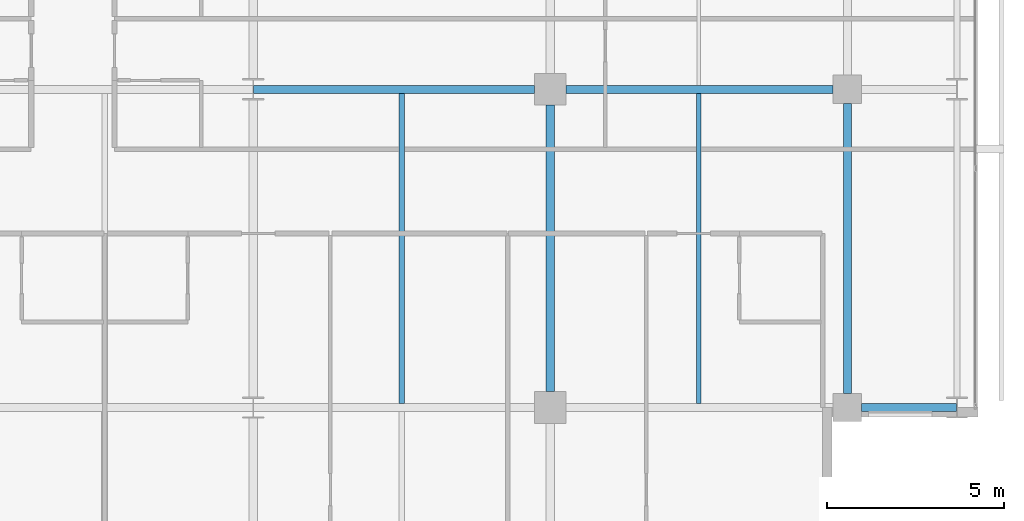
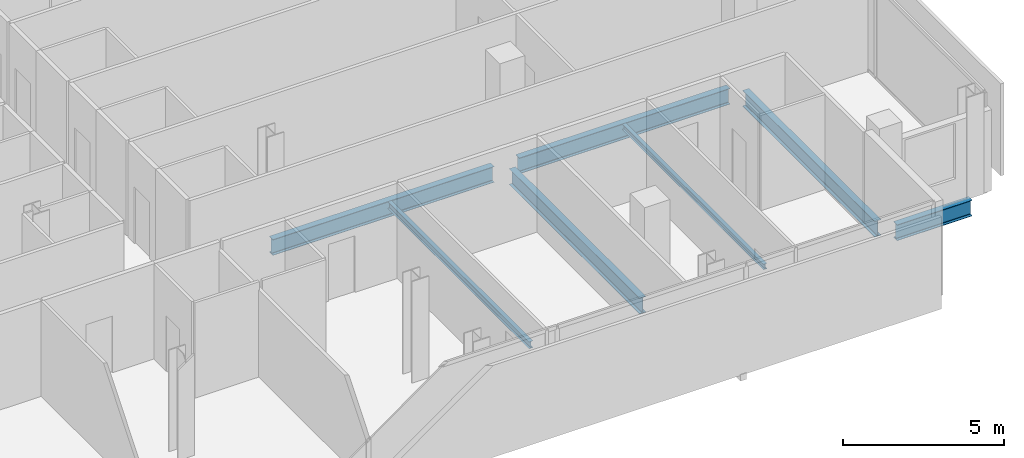
# One storey, part 14 of 34: 7 beams.
"""IFC4 building model written with IfcOpenShell, lengths in metres."""

import ifcopenshell
import ifcopenshell.guid

model = None  # the IFC model being written
_history = None  # IfcOwnerHistory: only IFC2X3 demands one
_inside = {}  # id of a spatial element -> (the spatial element, [elements in it])
_under = {}  # id of a project, library or spatial element -> (it, [spatial elements below it])
_declared = {}  # id of a project -> (the project, [libraries it declares])
_typed = {}  # id of a type object -> (the type object, [elements of that type])
_made_of = {}  # id of a material, layer set ... -> (it, [elements and type objects made of it])


def new_model(schema):
    """Start an empty IFC model of exactly this schema.

    Asked for "IFC4X3", IfcOpenShell would pick the latest addendum, in which some entities
    have other attributes; the version numbers below select the first issue.
    IFC2X3 requires an IfcOwnerHistory on every rooted entity: one is made here for all.
    """
    global model, _history
    if schema == "IFC4X3":
        model = ifcopenshell.file(schema_version=(4, 3, 0, 0))
    else:
        model = ifcopenshell.file(schema=schema)
    _inside.clear()
    _under.clear()
    _declared.clear()
    _typed.clear()
    _made_of.clear()
    _history = None
    if model.schema == "IFC2X3":
        org = make("IfcOrganization", Name="unknown")
        user = make(
            "IfcPersonAndOrganization",
            ThePerson=make("IfcPerson", FamilyName="unknown"),
            TheOrganization=org,
        )
        app = make(
            "IfcApplication",
            ApplicationDeveloper=org,
            Version="unknown",
            ApplicationFullName="unknown",
            ApplicationIdentifier="unknown",
        )
        _history = make(
            "IfcOwnerHistory",
            OwningUser=user,
            OwningApplication=app,
            ChangeAction="ADDED",
            CreationDate=0,
        )
    return model


def make(cls, **values):
    """One entity of the class cls with the attributes given. An attribute that is None is left unset."""
    return model.create_entity(
        cls, **{name: value for name, value in values.items() if value is not None}
    )


def rooted(cls, **values):
    """An entity with a GlobalId (a new one), such as an element, a storey or a relation."""
    return make(cls, GlobalId=ifcopenshell.guid.new(), OwnerHistory=_history, **values)


def si_unit(unit_type, name, prefix=None):
    """IfcSIUnit, for example si_unit("LENGTHUNIT", "METRE", prefix="MILLI")."""
    return make("IfcSIUnit", UnitType=unit_type, Prefix=prefix, Name=name)


def assignment(units):
    """IfcUnitAssignment: the units of a project."""
    return None if units is None else make("IfcUnitAssignment", Units=units)


def point(xyz):
    """IfcCartesianPoint."""
    return None if xyz is None else make("IfcCartesianPoint", Coordinates=xyz)


def direction(xyz):
    """IfcDirection."""
    return None if xyz is None else make("IfcDirection", DirectionRatios=xyz)


def frame(location, z_axis=None, x_axis=None):
    """IfcAxis2Placement3D, a coordinate frame: its origin and axes. An axis left out is left unset."""
    return make(
        "IfcAxis2Placement3D",
        Location=point(location),
        Axis=direction(z_axis),
        RefDirection=direction(x_axis),
    )


def frame_2d(location, x_axis=None):
    """IfcAxis2Placement2D, a coordinate frame in the plane: its origin and x axis."""
    return make(
        "IfcAxis2Placement2D", Location=point(location), RefDirection=direction(x_axis)
    )


def origin():
    """The frame at (0, 0, 0) with its axes left unset."""
    return frame((0.0, 0.0, 0.0))


def origin_2d():
    """The frame at (0, 0) in the plane with its x axis left unset."""
    return frame_2d((0.0, 0.0))


def place(relative_to, where):
    """IfcLocalPlacement: puts the frame where relative to a parent placement (None: the world)."""
    return make(
        "IfcLocalPlacement", PlacementRelTo=relative_to, RelativePlacement=where
    )


def context(
    kind, dimensions, precision=None, world=None, true_north=None, identifier=None
):
    """IfcGeometricRepresentationContext, for example the 3D "Model" context."""
    return make(
        "IfcGeometricRepresentationContext",
        ContextIdentifier=identifier,
        ContextType=kind,
        CoordinateSpaceDimension=dimensions,
        Precision=precision,
        WorldCoordinateSystem=world,
        TrueNorth=true_north,
    )


def subcontext(parent, identifier, kind, view, scale=None):
    """IfcGeometricRepresentationSubContext, for example "Body" below "Model"."""
    return make(
        "IfcGeometricRepresentationSubContext",
        ContextIdentifier=identifier,
        ContextType=kind,
        ParentContext=parent,
        TargetScale=scale,
        TargetView=view,
    )


def project(units=None, contexts=None):
    """IfcProject with its units and contexts."""
    return rooted(
        "IfcProject",
        Name="project",
        RepresentationContexts=contexts,
        UnitsInContext=assignment(units),
    )


def spatial(cls, under=None, at=None, **own):
    """A site, building, storey or space (cls), placed at a placement, below another one or the project."""
    s = rooted(cls, ObjectPlacement=at, **own)
    if under is not None:
        _under.setdefault(under.id(), (under, []))[1].append(s)
    return s


def profile(cls, at=None, kind="AREA", **sizes):
    """A parametric profile (cls). Its sizes go by their IFC names, for example OverallWidth=200.0."""
    return make(cls, ProfileType=kind, Position=at, **sizes)


def i_section(**sizes):
    """IfcIShapeProfileDef."""
    return profile("IfcIShapeProfileDef", **sizes)


def extrude(swept, where, along, depth):
    """IfcExtrudedAreaSolid: the profile swept, set in the frame where, extruded along a direction by depth."""
    return make(
        "IfcExtrudedAreaSolid",
        SweptArea=swept,
        Position=where,
        ExtrudedDirection=direction(along),
        Depth=depth,
    )


def shape(context_of_items, identifier, shape_type, items):
    """IfcShapeRepresentation: the items that make up one representation, for example the "Body"."""
    return make(
        "IfcShapeRepresentation",
        ContextOfItems=context_of_items,
        RepresentationIdentifier=identifier,
        RepresentationType=shape_type,
        Items=items,
    )


def material(Name=None, Category=None):
    """IfcMaterial."""
    return make("IfcMaterial", Name=Name, Category=Category)


def material_profile(
    of_material, cross_section, Name=None, Category=None, Priority=None
):
    """IfcMaterialProfile: a cross section and its material."""
    return make(
        "IfcMaterialProfile",
        Name=Name,
        Material=of_material,
        Profile=cross_section,
        Priority=Priority,
        Category=Category,
    )


def profile_set(profiles, Name=None, composite=None):
    """IfcMaterialProfileSet."""
    return make(
        "IfcMaterialProfileSet",
        Name=Name,
        MaterialProfiles=profiles,
        CompositeProfile=composite,
    )


def made_of(thing, what):
    """Note that an element or type object is made of a material, layer set ...; save() writes the relation."""
    if what is not None:
        _made_of.setdefault(what.id(), (what, []))[1].append(thing)
    return thing


def type_object(cls, material=None, **own):
    """A type object (cls), such as IfcWallType, which elements share."""
    return made_of(rooted(cls, **own), material)


def element(
    cls,
    number,
    at=None,
    inside=None,
    cuts=None,
    type_object=None,
    material=None,
    context=None,
    identifier="Body",
    shape_type=None,
    held_by="IfcProductDefinitionShape",
    body=None,
    shapes=None,
    **own,
):
    """One element of the class cls, such as IfcWall. Its Tag is "e" and its number.

    at: its placement. inside: the storey or other place that contains it. cuts: it is an
    opening in that element (IfcRelVoidsElement). A single representation is given by context,
    identifier, shape_type and body (its items); several are given by shapes. held_by: the class
    of the entity that holds the representations. save() writes the other relations.
    """
    e = rooted(cls, Tag="e%d" % number, ObjectPlacement=at, **own)
    if body is not None:
        shapes = [shape(context, identifier, shape_type, body)]
    if shapes is not None:
        e.Representation = make(held_by, Representations=shapes)
    if inside is not None:
        _inside.setdefault(inside.id(), (inside, []))[1].append(e)
    if cuts is not None:
        rooted(
            "IfcRelVoidsElement", RelatingBuildingElement=cuts, RelatedOpeningElement=e
        )
    if type_object is not None:
        _typed.setdefault(type_object.id(), (type_object, []))[1].append(e)
    return made_of(e, material)


def aggregate(whole, parts):
    """IfcRelAggregates: a whole, such as a stair, and the parts it consists of."""
    return rooted("IfcRelAggregates", RelatingObject=whole, RelatedObjects=parts)


def save(model, path):
    """Write the relations noted so far, then the file.

    IfcRelAggregates (storeys below a building ...), IfcRelContainedInSpatialStructure (elements
    in a storey), IfcRelDefinesByType, IfcRelAssociatesMaterial and IfcRelDeclares: one each for
    every whole, place, type object, material and project.
    """
    for whole, parts in _under.values():
        aggregate(whole, parts)
    for where, things in _inside.values():
        rooted(
            "IfcRelContainedInSpatialStructure",
            RelatedElements=things,
            RelatingStructure=where,
        )
    for kind, things in _typed.values():
        rooted("IfcRelDefinesByType", RelatedObjects=things, RelatingType=kind)
    for what, things in _made_of.values():
        rooted("IfcRelAssociatesMaterial", RelatedObjects=things, RelatingMaterial=what)
    for by, libraries in _declared.values():
        rooted("IfcRelDeclares", RelatingContext=by, RelatedDefinitions=libraries)
    model.write(path)


model = new_model("IFC4")

# Units and contexts
model_context = context("Model", 3, precision=1e-05, world=origin(), true_north=direction((0.0, 1.0)))
body_context = subcontext(model_context, "Body", "Model", "MODEL_VIEW")
ifc_project = project(units=[si_unit("LENGTHUNIT", "METRE"), si_unit("AREAUNIT", "SQUARE_METRE"), si_unit("VOLUMEUNIT", "CUBIC_METRE"), si_unit("PLANEANGLEUNIT", "RADIAN"), si_unit("MASSUNIT", "GRAM", prefix="KILO")], contexts=[model_context])

# Site, building, storey
site_placement = place(None, origin())
site = spatial("IfcSite", under=ifc_project, at=site_placement, CompositionType="ELEMENT")
building_placement = place(site_placement, origin())
building = spatial("IfcBuilding", under=site, at=building_placement, Name="Maruvema Waterfront Hotel and Observation Tower", CompositionType="ELEMENT")
storey_placement = place(building_placement, frame((0.0, 0.0, 192.85009765625)))
storey = spatial("IfcBuildingStorey", under=building, at=storey_placement, Name="L47", CompositionType="ELEMENT", Elevation=192.85009765625)

# Beams
ifc_material_1 = material(Name="Steel ASTM A572 Grade 50", Category="steel")
ifc_material_profile_1 = material_profile(ifc_material_1, i_section(OverallWidth=0.22802734375, OverallDepth=0.60302734375, WebThickness=0.010498046875, FlangeThickness=0.014892578125, FilletRadius=0.01806640625, at=origin_2d()), Name="W610x101.0")
ifc_profile_set_1 = profile_set([ifc_material_profile_1], Name="Steel ASTM A572 Grade 50")
beam_type_1 = type_object("IfcBeamType", Name="Primary Floor Girder W610x101.0", PredefinedType="BEAM", material=ifc_profile_set_1)
beam_1_placement = place(storey_placement, frame((59.199951171875, 9.0, -0.54150390625), z_axis=(1.0, 0.0, 0.0), x_axis=(0.0, 1.0, 0.0)))
element("IfcBeam", 1, at=beam_1_placement, inside=storey, type_object=beam_type_1, Name="L47 Floor Girder EW-10", PredefinedType="BEAM", context=body_context, shape_type="SweptSolid", body=[
    extrude(i_section(OverallWidth=0.22802734375, OverallDepth=0.60302734375, WebThickness=0.010498046875, FlangeThickness=0.014892578125, FilletRadius=0.01806640625, at=origin_2d()), origin(), (0.0, 0.0, 1.0), 2.6875),
])
beam_2_placement = place(storey_placement, frame((42.012451171875, 18.0, -0.54150390625), z_axis=(1.0, 0.0, 0.0), x_axis=(0.0, 1.0, 0.0)))
element("IfcBeam", 2, at=beam_2_placement, inside=storey, type_object=beam_type_1, Name="L47 Floor Girder EW-15", PredefinedType="BEAM", context=body_context, shape_type="SweptSolid", body=[
    extrude(i_section(OverallWidth=0.22802734375, OverallDepth=0.60302734375, WebThickness=0.010498046875, FlangeThickness=0.014892578125, FilletRadius=0.01806640625, at=origin_2d()), origin(), (0.0, 0.0, 1.0), 7.9375),
])
beam_3_placement = place(storey_placement, frame((50.85009765625, 18.0, -0.54150390625), z_axis=(1.0, 0.0, 0.0), x_axis=(0.0, 1.0, 0.0)))
element("IfcBeam", 3, at=beam_3_placement, inside=storey, type_object=beam_type_1, Name="L47 Floor Girder EW-16", PredefinedType="BEAM", context=body_context, shape_type="SweptSolid", body=[
    extrude(i_section(OverallWidth=0.22802734375, OverallDepth=0.60302734375, WebThickness=0.010498046875, FlangeThickness=0.014892578125, FilletRadius=0.01806640625, at=origin_2d()), origin(), (0.0, 0.0, 1.0), 7.5498046875),
])
beam_4_placement = place(storey_placement, frame((50.39990234375, 9.449951171875, -0.54150390625), z_axis=(0.0, 1.0, 0.0), x_axis=(-1.0, 0.0, 0.0)))
element("IfcBeam", 4, at=beam_4_placement, inside=storey, type_object=beam_type_1, Name="L47 Floor Girder NS-21", PredefinedType="BEAM", context=body_context, shape_type="SweptSolid", body=[
    extrude(i_section(OverallWidth=0.22802734375, OverallDepth=0.60302734375, WebThickness=0.010498046875, FlangeThickness=0.014892578125, FilletRadius=0.01806640625, at=origin_2d()), origin(), (0.0, 0.0, 1.0), 8.10009765625),
])
beam_5_placement = place(storey_placement, frame((58.800048828125, 9.39990234375, -0.54150390625), z_axis=(0.0, 1.0, 0.0), x_axis=(-1.0, 0.0, 0.0)))
element("IfcBeam", 5, at=beam_5_placement, inside=storey, type_object=beam_type_1, Name="L47 Floor Girder NS-25", PredefinedType="BEAM", context=body_context, shape_type="SweptSolid", body=[
    extrude(i_section(OverallWidth=0.22802734375, OverallDepth=0.60302734375, WebThickness=0.010498046875, FlangeThickness=0.014892578125, FilletRadius=0.01806640625, at=origin_2d()), origin(), (0.0, 0.0, 1.0), 8.2001953125),
])
ifc_material_2 = material(Name="Steel ASTM A572 Grade 50", Category="steel")
ifc_material_profile_2 = material_profile(ifc_material_2, i_section(OverallWidth=0.133056640625, OverallDepth=0.20703125, WebThickness=0.005859375, FlangeThickness=0.00830078125, FilletRadius=0.010009765625, at=origin_2d()), Name="W200x26.6")
ifc_profile_set_2 = profile_set([ifc_material_profile_2], Name="Steel ASTM A572 Grade 50")
beam_type_2 = type_object("IfcBeamType", Name="Secondary Floor Joist W200x26.6", PredefinedType="JOIST", material=ifc_profile_set_2)
beam_6_placement = place(storey_placement, frame((54.60009765625, 9.114013671875, -0.343505859375), z_axis=(0.0, 1.0, 0.0), x_axis=(-1.0, 0.0, 0.0)))
element("IfcBeam", 6, at=beam_6_placement, inside=storey, type_object=beam_type_2, Name="L47 Secondary Floor Joist JS-11", PredefinedType="JOIST", context=body_context, shape_type="SweptSolid", body=[
    extrude(i_section(OverallWidth=0.133056640625, OverallDepth=0.20703125, WebThickness=0.005859375, FlangeThickness=0.00830078125, FilletRadius=0.010009765625, at=origin_2d()), origin(), (0.0, 0.0, 1.0), 8.77197265625),
])
ifc_material_3 = material(Name="Steel ASTM A572 Grade 50", Category="steel")
ifc_material_profile_3 = material_profile(ifc_material_3, i_section(OverallWidth=0.14599609375, OverallDepth=0.258056640625, WebThickness=0.006103515625, FlangeThickness=0.009033203125, FilletRadius=0.012939453125, at=origin_2d()), Name="W250x32.7")
ifc_profile_set_3 = profile_set([ifc_material_profile_3], Name="Steel ASTM A572 Grade 50")
beam_type_3 = type_object("IfcBeamType", Name="Secondary Floor Joist W250x32.7", PredefinedType="JOIST", material=ifc_profile_set_3)
beam_7_placement = place(storey_placement, frame((46.199951171875, 9.114013671875, -0.369140625), z_axis=(0.0, 1.0, 0.0), x_axis=(-1.0, 0.0, 0.0)))
element("IfcBeam", 7, at=beam_7_placement, inside=storey, type_object=beam_type_3, Name="L47 Secondary Floor Joist JS-10", PredefinedType="JOIST", context=body_context, shape_type="SweptSolid", body=[
    extrude(i_section(OverallWidth=0.14599609375, OverallDepth=0.258056640625, WebThickness=0.006103515625, FlangeThickness=0.009033203125, FilletRadius=0.012939453125, at=origin_2d()), origin(), (0.0, 0.0, 1.0), 8.77197265625),
])

save(model, "model.ifc")
